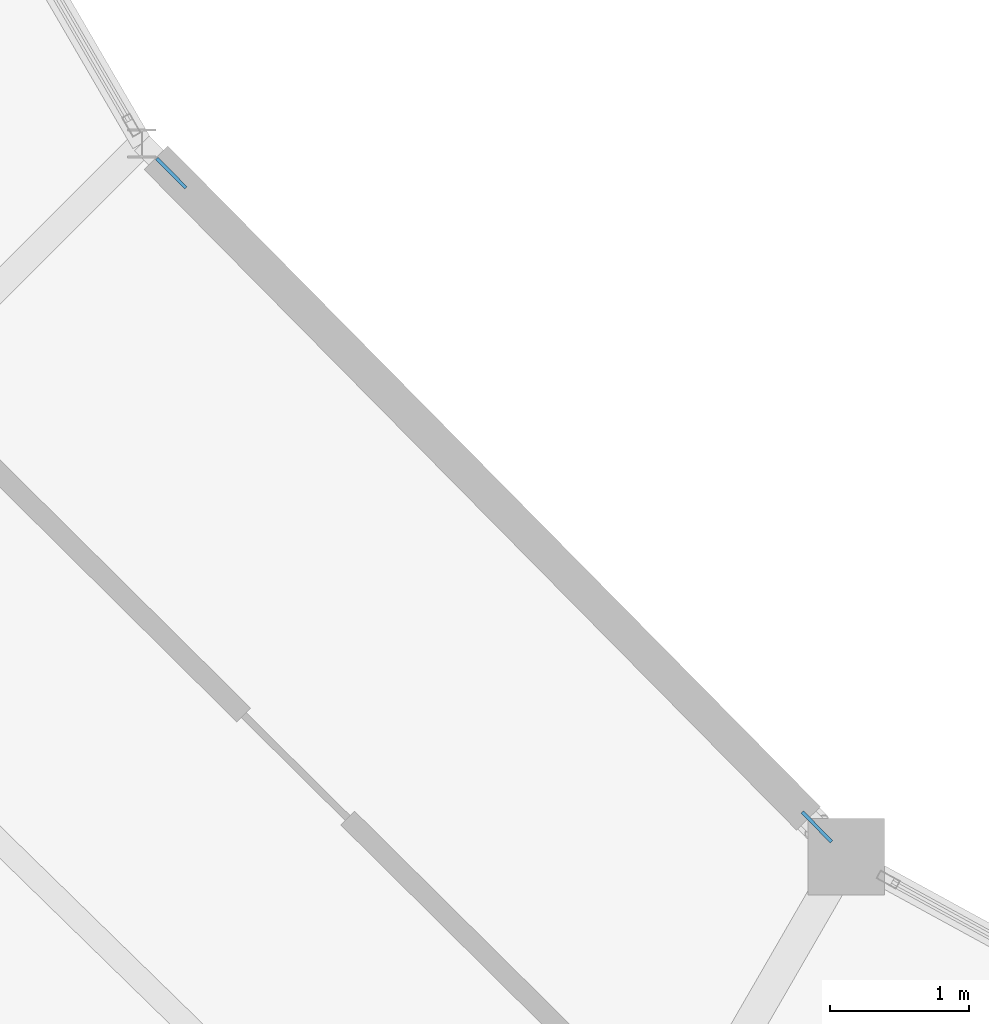
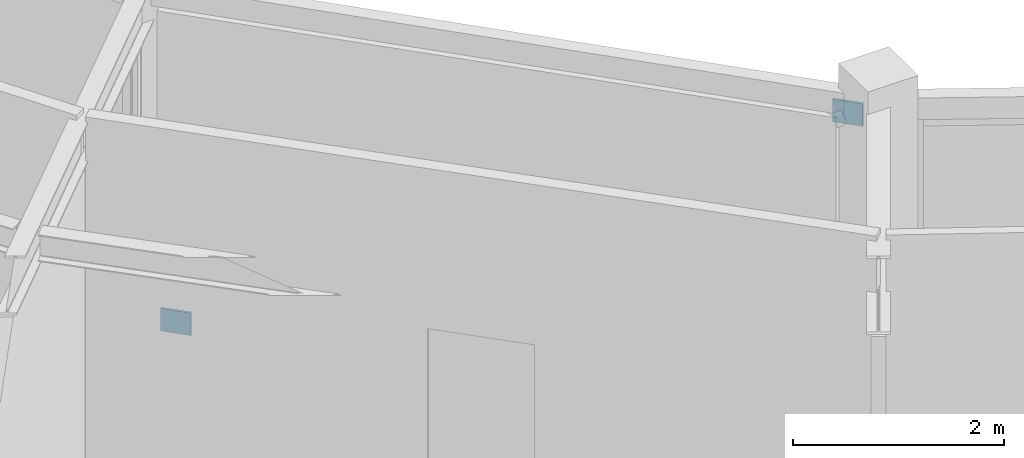
# One storey, part 99 of 130: 2 plates.
"""IFC4 building model written with IfcOpenShell, lengths in metres."""

import ifcopenshell
import ifcopenshell.guid

model = None  # the IFC model being written
_history = None  # IfcOwnerHistory: only IFC2X3 demands one
_inside = {}  # id of a spatial element -> (the spatial element, [elements in it])
_under = {}  # id of a project, library or spatial element -> (it, [spatial elements below it])
_declared = {}  # id of a project -> (the project, [libraries it declares])
_typed = {}  # id of a type object -> (the type object, [elements of that type])
_made_of = {}  # id of a material, layer set ... -> (it, [elements and type objects made of it])


def new_model(schema):
    """Start an empty IFC model of exactly this schema.

    Asked for "IFC4X3", IfcOpenShell would pick the latest addendum, in which some entities
    have other attributes; the version numbers below select the first issue.
    IFC2X3 requires an IfcOwnerHistory on every rooted entity: one is made here for all.
    """
    global model, _history
    if schema == "IFC4X3":
        model = ifcopenshell.file(schema_version=(4, 3, 0, 0))
    else:
        model = ifcopenshell.file(schema=schema)
    _inside.clear()
    _under.clear()
    _declared.clear()
    _typed.clear()
    _made_of.clear()
    _history = None
    if model.schema == "IFC2X3":
        org = make("IfcOrganization", Name="unknown")
        user = make(
            "IfcPersonAndOrganization",
            ThePerson=make("IfcPerson", FamilyName="unknown"),
            TheOrganization=org,
        )
        app = make(
            "IfcApplication",
            ApplicationDeveloper=org,
            Version="unknown",
            ApplicationFullName="unknown",
            ApplicationIdentifier="unknown",
        )
        _history = make(
            "IfcOwnerHistory",
            OwningUser=user,
            OwningApplication=app,
            ChangeAction="ADDED",
            CreationDate=0,
        )
    return model


def make(cls, **values):
    """One entity of the class cls with the attributes given. An attribute that is None is left unset."""
    return model.create_entity(
        cls, **{name: value for name, value in values.items() if value is not None}
    )


def rooted(cls, **values):
    """An entity with a GlobalId (a new one), such as an element, a storey or a relation."""
    return make(cls, GlobalId=ifcopenshell.guid.new(), OwnerHistory=_history, **values)


def si_unit(unit_type, name, prefix=None):
    """IfcSIUnit, for example si_unit("LENGTHUNIT", "METRE", prefix="MILLI")."""
    return make("IfcSIUnit", UnitType=unit_type, Prefix=prefix, Name=name)


def assignment(units):
    """IfcUnitAssignment: the units of a project."""
    return None if units is None else make("IfcUnitAssignment", Units=units)


def point(xyz):
    """IfcCartesianPoint."""
    return None if xyz is None else make("IfcCartesianPoint", Coordinates=xyz)


def direction(xyz):
    """IfcDirection."""
    return None if xyz is None else make("IfcDirection", DirectionRatios=xyz)


def frame(location, z_axis=None, x_axis=None):
    """IfcAxis2Placement3D, a coordinate frame: its origin and axes. An axis left out is left unset."""
    return make(
        "IfcAxis2Placement3D",
        Location=point(location),
        Axis=direction(z_axis),
        RefDirection=direction(x_axis),
    )


def frame_2d(location, x_axis=None):
    """IfcAxis2Placement2D, a coordinate frame in the plane: its origin and x axis."""
    return make(
        "IfcAxis2Placement2D", Location=point(location), RefDirection=direction(x_axis)
    )


def origin():
    """The frame at (0, 0, 0) with its axes left unset."""
    return frame((0.0, 0.0, 0.0))


def origin_2d():
    """The frame at (0, 0) in the plane with its x axis left unset."""
    return frame_2d((0.0, 0.0))


def place(relative_to, where):
    """IfcLocalPlacement: puts the frame where relative to a parent placement (None: the world)."""
    return make(
        "IfcLocalPlacement", PlacementRelTo=relative_to, RelativePlacement=where
    )


def context(
    kind, dimensions, precision=None, world=None, true_north=None, identifier=None
):
    """IfcGeometricRepresentationContext, for example the 3D "Model" context."""
    return make(
        "IfcGeometricRepresentationContext",
        ContextIdentifier=identifier,
        ContextType=kind,
        CoordinateSpaceDimension=dimensions,
        Precision=precision,
        WorldCoordinateSystem=world,
        TrueNorth=true_north,
    )


def subcontext(parent, identifier, kind, view, scale=None):
    """IfcGeometricRepresentationSubContext, for example "Body" below "Model"."""
    return make(
        "IfcGeometricRepresentationSubContext",
        ContextIdentifier=identifier,
        ContextType=kind,
        ParentContext=parent,
        TargetScale=scale,
        TargetView=view,
    )


def project(units=None, contexts=None):
    """IfcProject with its units and contexts."""
    return rooted(
        "IfcProject",
        Name="project",
        RepresentationContexts=contexts,
        UnitsInContext=assignment(units),
    )


def spatial(cls, under=None, at=None, **own):
    """A site, building, storey or space (cls), placed at a placement, below another one or the project."""
    s = rooted(cls, ObjectPlacement=at, **own)
    if under is not None:
        _under.setdefault(under.id(), (under, []))[1].append(s)
    return s


def profile(cls, at=None, kind="AREA", **sizes):
    """A parametric profile (cls). Its sizes go by their IFC names, for example OverallWidth=200.0."""
    return make(cls, ProfileType=kind, Position=at, **sizes)


def rectangle(**sizes):
    """IfcRectangleProfileDef."""
    return profile("IfcRectangleProfileDef", **sizes)


def extrude(swept, where, along, depth):
    """IfcExtrudedAreaSolid: the profile swept, set in the frame where, extruded along a direction by depth."""
    return make(
        "IfcExtrudedAreaSolid",
        SweptArea=swept,
        Position=where,
        ExtrudedDirection=direction(along),
        Depth=depth,
    )


def shape(context_of_items, identifier, shape_type, items):
    """IfcShapeRepresentation: the items that make up one representation, for example the "Body"."""
    return make(
        "IfcShapeRepresentation",
        ContextOfItems=context_of_items,
        RepresentationIdentifier=identifier,
        RepresentationType=shape_type,
        Items=items,
    )


def material(Name=None, Category=None):
    """IfcMaterial."""
    return make("IfcMaterial", Name=Name, Category=Category)


def layer(
    of_material, thickness, ventilated=None, Name=None, Category=None, Priority=None
):
    """IfcMaterialLayer: one layer of a wall or slab, of a material (None: an air gap)."""
    return make(
        "IfcMaterialLayer",
        Material=of_material,
        LayerThickness=thickness,
        IsVentilated=ventilated,
        Name=Name,
        Category=Category,
        Priority=Priority,
    )


def layer_set(layers, Name=None):
    """IfcMaterialLayerSet."""
    return make("IfcMaterialLayerSet", MaterialLayers=layers, LayerSetName=Name)


def made_of(thing, what):
    """Note that an element or type object is made of a material, layer set ...; save() writes the relation."""
    if what is not None:
        _made_of.setdefault(what.id(), (what, []))[1].append(thing)
    return thing


def type_object(cls, material=None, **own):
    """A type object (cls), such as IfcWallType, which elements share."""
    return made_of(rooted(cls, **own), material)


def element(
    cls,
    number,
    at=None,
    inside=None,
    cuts=None,
    type_object=None,
    material=None,
    context=None,
    identifier="Body",
    shape_type=None,
    held_by="IfcProductDefinitionShape",
    body=None,
    shapes=None,
    **own,
):
    """One element of the class cls, such as IfcWall. Its Tag is "e" and its number.

    at: its placement. inside: the storey or other place that contains it. cuts: it is an
    opening in that element (IfcRelVoidsElement). A single representation is given by context,
    identifier, shape_type and body (its items); several are given by shapes. held_by: the class
    of the entity that holds the representations. save() writes the other relations.
    """
    e = rooted(cls, Tag="e%d" % number, ObjectPlacement=at, **own)
    if body is not None:
        shapes = [shape(context, identifier, shape_type, body)]
    if shapes is not None:
        e.Representation = make(held_by, Representations=shapes)
    if inside is not None:
        _inside.setdefault(inside.id(), (inside, []))[1].append(e)
    if cuts is not None:
        rooted(
            "IfcRelVoidsElement", RelatingBuildingElement=cuts, RelatedOpeningElement=e
        )
    if type_object is not None:
        _typed.setdefault(type_object.id(), (type_object, []))[1].append(e)
    return made_of(e, material)


def aggregate(whole, parts):
    """IfcRelAggregates: a whole, such as a stair, and the parts it consists of."""
    return rooted("IfcRelAggregates", RelatingObject=whole, RelatedObjects=parts)


def save(model, path):
    """Write the relations noted so far, then the file.

    IfcRelAggregates (storeys below a building ...), IfcRelContainedInSpatialStructure (elements
    in a storey), IfcRelDefinesByType, IfcRelAssociatesMaterial and IfcRelDeclares: one each for
    every whole, place, type object, material and project.
    """
    for whole, parts in _under.values():
        aggregate(whole, parts)
    for where, things in _inside.values():
        rooted(
            "IfcRelContainedInSpatialStructure",
            RelatedElements=things,
            RelatingStructure=where,
        )
    for kind, things in _typed.values():
        rooted("IfcRelDefinesByType", RelatedObjects=things, RelatingType=kind)
    for what, things in _made_of.values():
        rooted("IfcRelAssociatesMaterial", RelatedObjects=things, RelatingMaterial=what)
    for by, libraries in _declared.values():
        rooted("IfcRelDeclares", RelatingContext=by, RelatedDefinitions=libraries)
    model.write(path)


model = new_model("IFC4")

# Units and contexts
model_context = context("Model", 3, precision=1e-05, world=origin(), true_north=direction((0.0, 1.0)))
body_context = subcontext(model_context, "Body", "Model", "MODEL_VIEW")
ifc_project = project(units=[si_unit("LENGTHUNIT", "METRE"), si_unit("AREAUNIT", "SQUARE_METRE"), si_unit("VOLUMEUNIT", "CUBIC_METRE"), si_unit("PLANEANGLEUNIT", "RADIAN"), si_unit("MASSUNIT", "GRAM", prefix="KILO")], contexts=[model_context])

# Site, building, storey
site_placement = place(None, origin())
site = spatial("IfcSite", under=ifc_project, at=site_placement, CompositionType="ELEMENT")
building_placement = place(site_placement, origin())
building = spatial("IfcBuilding", under=site, at=building_placement, Name="Karori Crest Natural Sciences Institute", CompositionType="ELEMENT")
storey_placement = place(building_placement, frame((0.0, 0.0, 17.5)))
storey = spatial("IfcBuildingStorey", under=building, at=storey_placement, Name="L04", CompositionType="ELEMENT", Elevation=17.5)

# Plates
ifc_material = material(Name="Structural steel AS/NZS 3679.1 Grade 350", Category="steel")
ifc_layer = layer(ifc_material, 0.02490234375, Name="Structural steel AS/NZS 3679.1 Grade 350")
ifc_layer_set = layer_set([ifc_layer], Name="Structural steel AS/NZS 3679.1 Grade 350")
plate_type = type_object("IfcPlateType", Name="PLT-06", PredefinedType="SHEET", material=ifc_layer_set)
for number, where, z_axis, x_axis, name in (
    (1, (49.357421875, 26.917724609375, -0.11962890625), (0.0, 0.0, 1.0), (-0.702663630174, 0.711522187167, 0.0), "Brace gusset plate EP-0045"),
    (2, (53.9892578125, 22.2275390625, 3.5205078125), (0.0, 0.0, 1.0), (-0.702663630174, 0.711522187167, 0.0), "Brace gusset plate EP-0046"),
):
    element("IfcPlate", number, at=place(storey_placement, frame(where, z_axis=z_axis, x_axis=x_axis)), inside=storey, type_object=plate_type, Name=name, PredefinedType="SHEET", context=body_context, shape_type="SweptSolid", body=[
        extrude(rectangle(XDim=0.299072265625, YDim=0.02490234375, at=origin_2d()), origin(), (0.0, 0.0, 1.0), 0.259033203125),
    ])

save(model, "model.ifc")
